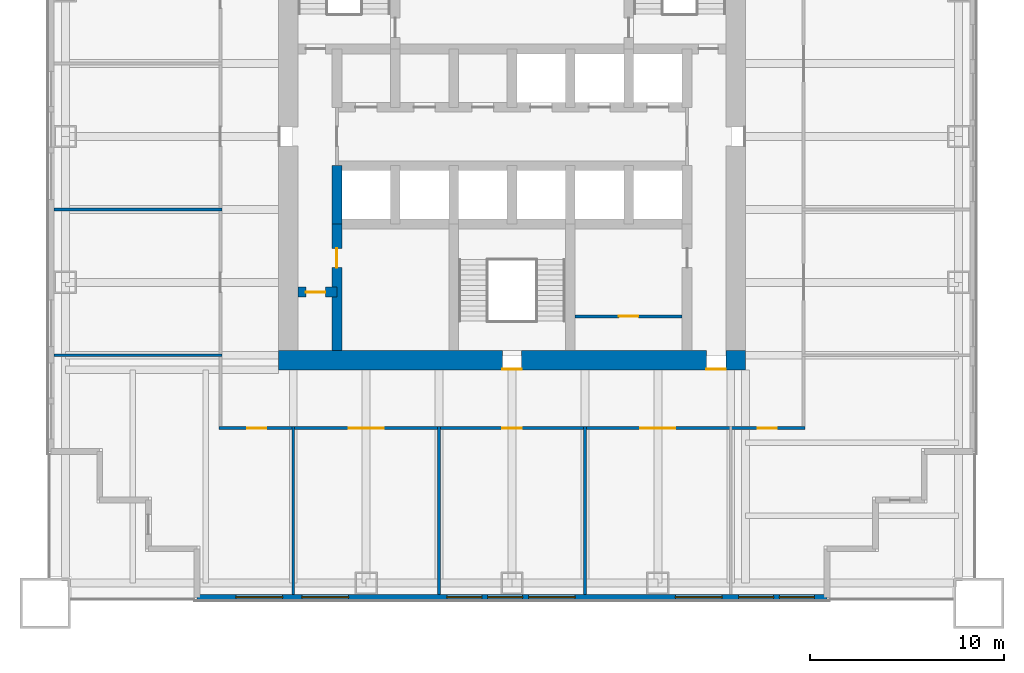
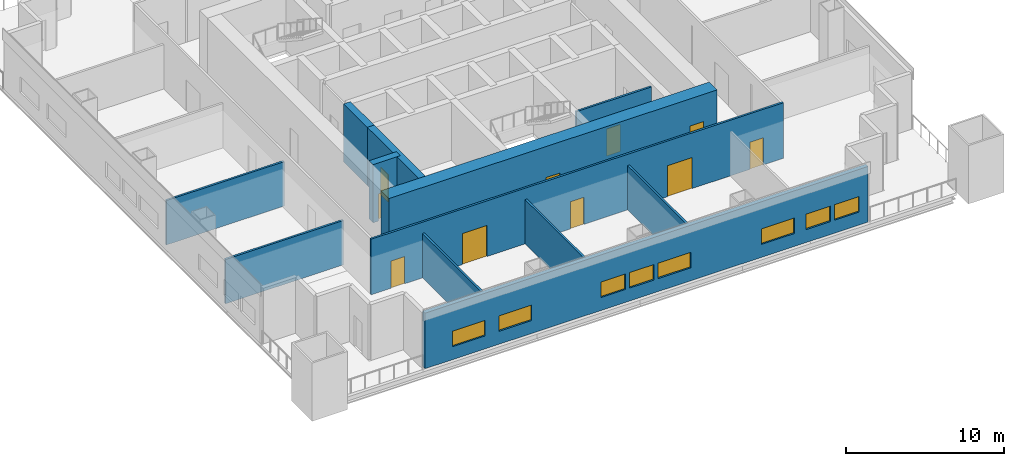
# One storey, part 2 of 7: 12 walls, 10 doors, 8 windows, 18 openings.
"""IFC4 building model written with IfcOpenShell, lengths in metres."""

from ifc_helpers import new_model, si_unit, direction, frame, frame_2d, origin, place, context, subcontext, project, spatial, rectangle, extrude, material, layer, layer_set, type_object, element, fill, save


model = new_model("IFC4")

# Units and contexts
model_context = context("Model", 3, precision=1e-05, world=origin(), true_north=direction((0.0, 1.0)))
body_context = subcontext(model_context, "Body", "Model", "MODEL_VIEW")
ifc_project = project(units=[si_unit("LENGTHUNIT", "METRE"), si_unit("AREAUNIT", "SQUARE_METRE"), si_unit("VOLUMEUNIT", "CUBIC_METRE"), si_unit("PLANEANGLEUNIT", "RADIAN"), si_unit("MASSUNIT", "GRAM", prefix="KILO")], contexts=[model_context])

# Site, building, storey
site_placement = place(None, origin())
site = spatial("IfcSite", under=ifc_project, at=site_placement, CompositionType="ELEMENT")
building_placement = place(site_placement, origin())
building = spatial("IfcBuilding", under=site, at=building_placement, Name="Tarangal Relay Tower", CompositionType="ELEMENT")
storey_placement = place(building_placement, frame((0.0, 0.0, 158.39990234375)))
storey = spatial("IfcBuildingStorey", under=building, at=storey_placement, Name="L32", CompositionType="ELEMENT", Elevation=158.39990234375)

# Wall, opening, door
ifc_material_1 = material(Name="Concrete fc' 60 MPa", Category="concrete")
ifc_layer_1 = layer(ifc_material_1, 0.5)
ifc_layer_set_1 = layer_set([ifc_layer_1], Name="Core inner wall 500")
wall_type_1 = type_object("IfcWallType", Name="Core inner wall 500", PredefinedType="SHEAR", material=ifc_layer_set_1)
wall_1_placement = place(storey_placement, frame((-11.0, -8.0, 0.0), z_axis=(0.0, 0.0, 1.0), x_axis=(1.0, 0.0, 0.0)))
wall_1 = element("IfcWall", 1, at=wall_1_placement, inside=storey, type_object=wall_type_1, Name="Core wall YM8 L32", PredefinedType="SHEAR", context=body_context, shape_type="SweptSolid", body=[
    extrude(rectangle(XDim=2.0, YDim=0.5, at=frame_2d((1.0, 0.0))), origin(), (0.0, 0.0, 1.0), 4.5),
])
opening_1_placement = place(wall_1_placement, frame((0.39990234375, 0.0, 0.0)))
opening_1 = element("IfcOpeningElement", 2, at=opening_1_placement, cuts=wall_1, Name="Opening D1", PredefinedType="OPENING", context=body_context, shape_type="SweptSolid", body=[
    extrude(rectangle(XDim=1.0, YDim=2.10009765625, at=frame_2d((0.5, 1.050048828125))), frame((0.0, 0.260009765625, 0.0), z_axis=(0.0, -1.0, 0.0), x_axis=(1.0, 0.0, 0.0)), (0.0, 0.0, 1.0), 0.52001953125),
])
ifc_material_2 = material(Name="Hardwood door", Category="wood")
door_type_1 = type_object("IfcDoorType", Name="WC door 1000 x 2100", OperationType="SINGLE_SWING_LEFT", PredefinedType="DOOR", material=ifc_material_2)
door_1_placement = place(opening_1_placement, origin())
door_1 = element("IfcDoor", 3, at=door_1_placement, inside=storey, type_object=door_type_1, Name="Accessible WC door L32", OperationType="SINGLE_SWING_LEFT", OverallHeight=2.10009765625, OverallWidth=1.0, PredefinedType="DOOR", context=body_context, shape_type="SweptSolid", body=[
    extrude(rectangle(XDim=1.0, YDim=2.10009765625, at=frame_2d((0.5, 1.050048828125))), frame((0.0, 0.02490234375, 0.0), z_axis=(0.0, -1.0, 0.0), x_axis=(1.0, 0.0, 0.0)), (0.0, 0.0, 1.0), 0.050048828125),
])
fill(opening_1, door_1)

# Wall
wall_2_placement = place(storey_placement, frame((-9.0, -4.5, 0.0), z_axis=(0.0, 0.0, 1.0), x_axis=(0.0, 1.0, 0.0)))
element("IfcWall", 4, at=wall_2_placement, inside=storey, type_object=wall_type_1, Name="Core wall XM9S L32", PredefinedType="SHEAR", context=body_context, shape_type="SweptSolid", body=[
    extrude(rectangle(XDim=3.0, YDim=0.5, at=frame_2d((1.5, 0.0))), origin(), (0.0, 0.0, 1.0), 4.5),
])

# Wall, opening, door
wall_3_placement = place(storey_placement, frame((-9.0, -11.0, 0.0), z_axis=(0.0, 0.0, 1.0), x_axis=(0.0, 1.0, 0.0)))
wall_3 = element("IfcWall", 5, at=wall_3_placement, inside=storey, type_object=wall_type_1, Name="Core wall XM9W L32", PredefinedType="SHEAR", context=body_context, shape_type="SweptSolid", body=[
    extrude(rectangle(XDim=6.5, YDim=0.5, at=frame_2d((3.25, 0.0))), origin(), (0.0, 0.0, 1.0), 4.5),
])
opening_2_placement = place(wall_3_placement, frame((4.25, 0.0, 0.0)))
opening_2 = element("IfcOpeningElement", 6, at=opening_2_placement, cuts=wall_3, Name="Opening D1", PredefinedType="OPENING", context=body_context, shape_type="SweptSolid", body=[
    extrude(rectangle(XDim=1.0, YDim=2.10009765625, at=frame_2d((0.5, 1.050048828125))), frame((0.0, 0.260009765625, 0.0), z_axis=(0.0, -1.0, 0.0), x_axis=(1.0, 0.0, 0.0)), (0.0, 0.0, 1.0), 0.52001953125),
])
door_2_placement = place(opening_2_placement, origin())
door_2 = element("IfcDoor", 7, at=door_2_placement, inside=storey, type_object=door_type_1, Name="Male WC door L32", OperationType="SINGLE_SWING_LEFT", OverallHeight=2.10009765625, OverallWidth=1.0, PredefinedType="DOOR", context=body_context, shape_type="SweptSolid", body=[
    extrude(rectangle(XDim=1.0, YDim=2.10009765625, at=frame_2d((0.5, 1.050048828125))), frame((0.0, 0.02490234375, 0.0), z_axis=(0.0, -1.0, 0.0), x_axis=(1.0, 0.0, 0.0)), (0.0, 0.0, 1.0), 0.050048828125),
])
fill(opening_2, door_2)

# Wall, openings, doors
ifc_layer_2 = layer(ifc_material_1, 1.0)
ifc_layer_set_2 = layer_set([ifc_layer_2], Name="Core wall 1000")
wall_type_2 = type_object("IfcWallType", Name="Core wall 1000", PredefinedType="SHEAR", material=ifc_layer_set_2)
wall_4_placement = place(storey_placement, frame((12.0, -11.5, 0.0), z_axis=(0.0, 0.0, 1.0), x_axis=(-1.0, 0.0, 0.0)))
wall_4 = element("IfcWall", 8, at=wall_4_placement, inside=storey, type_object=wall_type_2, Name="Core wall S L32", PredefinedType="SHEAR", context=body_context, shape_type="SweptSolid", body=[
    extrude(rectangle(XDim=24.0, YDim=1.0, at=frame_2d((12.0, 0.0))), origin(), (0.0, 0.0, 1.0), 4.5),
])
opening_3_placement = place(wall_4_placement, frame((11.5, 0.0, 0.0)))
opening_3 = element("IfcOpeningElement", 9, at=opening_3_placement, cuts=wall_4, Name="Opening FD1", PredefinedType="OPENING", context=body_context, shape_type="SweptSolid", body=[
    extrude(rectangle(XDim=1.0, YDim=2.10009765625, at=frame_2d((0.5, 1.050048828125))), frame((0.0, 0.510009765625, 0.0), z_axis=(0.0, -1.0, 0.0), x_axis=(1.0, 0.0, 0.0)), (0.0, 0.0, 1.0), 1.02001953125),
])
opening_4_placement = place(wall_4_placement, frame((1.0, 0.0, 0.0)))
opening_4 = element("IfcOpeningElement", 10, at=opening_4_placement, cuts=wall_4, Name="Opening FD3", PredefinedType="OPENING", context=body_context, shape_type="SweptSolid", body=[
    extrude(rectangle(XDim=1.0, YDim=2.39990234375, at=frame_2d((0.5, 1.199951171875))), frame((0.0, 0.510009765625, 0.0), z_axis=(0.0, -1.0, 0.0), x_axis=(1.0, 0.0, 0.0)), (0.0, 0.0, 1.0), 1.02001953125),
])
ifc_material_3 = material(Name="Steel door with hardwood frame", Category="steel")
door_type_2 = type_object("IfcDoorType", Name="Fire door 1000 x 2100", OperationType="SINGLE_SWING_LEFT", PredefinedType="DOOR", material=ifc_material_3)
door_3_placement = place(opening_3_placement, origin())
door_3 = element("IfcDoor", 11, at=door_3_placement, inside=storey, type_object=door_type_2, Name="Stair ST-C door L32", OperationType="SINGLE_SWING_LEFT", OverallHeight=2.10009765625, OverallWidth=1.0, PredefinedType="DOOR", context=body_context, shape_type="SweptSolid", body=[
    extrude(rectangle(XDim=1.0, YDim=2.10009765625, at=frame_2d((0.5, 1.050048828125))), frame((0.0, 0.48486328125, 0.0), z_axis=(0.0, -1.0, 0.0), x_axis=(1.0, 0.0, 0.0)), (0.0, 0.0, 1.0), 0.050048828125),
])
fill(opening_3, door_3)
door_type_3 = type_object("IfcDoorType", Name="Fire door 1000 x 2400 core entry", OperationType="SINGLE_SWING_RIGHT", PredefinedType="DOOR", material=ifc_material_3)
door_4_placement = place(opening_4_placement, origin())
door_4 = element("IfcDoor", 12, at=door_4_placement, inside=storey, type_object=door_type_3, Name="Core entry door south east L32", OperationType="SINGLE_SWING_RIGHT", OverallHeight=2.39990234375, OverallWidth=1.0, PredefinedType="DOOR", context=body_context, shape_type="SweptSolid", body=[
    extrude(rectangle(XDim=1.0, YDim=2.39990234375, at=frame_2d((0.5, 1.199951171875))), frame((0.0, 0.48486328125, 0.0), z_axis=(0.0, -1.0, 0.0), x_axis=(1.0, 0.0, 0.0)), (0.0, 0.0, 1.0), 0.050048828125),
])
fill(opening_4, door_4)

# Wall, openings, windows
ifc_material_4 = material(Name="Insulated precast concrete fc' 40 MPa", Category="concrete")
ifc_layer_3 = layer(ifc_material_4, 0.300048828125)
ifc_layer_set_3 = layer_set([ifc_layer_3], Name="Insulated precast concrete fc' 40 MPa")
wall_type_3 = type_object("IfcWallType", Name="Facade wall precast 300", PredefinedType="SOLIDWALL", material=ifc_layer_set_3)
wall_5_placement = place(storey_placement, frame((16.199951171875, -23.699951171875, 0.0), z_axis=(0.0, 0.0, 1.0), x_axis=(-1.0, 0.0, 0.0)))
wall_5 = element("IfcWall", 13, at=wall_5_placement, inside=storey, type_object=wall_type_3, Name="Facade wall S facade L32", PredefinedType="SOLIDWALL", context=body_context, shape_type="SweptSolid", body=[
    extrude(rectangle(XDim=32.39990234375, YDim=0.300048828125, at=frame_2d((16.199951171875, 0.0))), origin(), (0.0, 0.0, 1.0), 4.300048828125),
])
opening_5_placement = place(wall_5_placement, frame((0.64990234375, 0.0, 1.0)))
opening_5 = element("IfcOpeningElement", 14, at=opening_5_placement, cuts=wall_5, Name="Opening WN5", PredefinedType="OPENING", context=body_context, shape_type="SweptSolid", body=[
    extrude(rectangle(XDim=1.800048828125, YDim=1.199951171875, at=frame_2d((0.89990234375, 0.60009765625))), frame((0.0, 0.159912109375, 0.0), z_axis=(0.0, -1.0, 0.0), x_axis=(1.0, 0.0, 0.0)), (0.0, 0.0, 1.0), 0.320068359375),
])
opening_6_placement = place(wall_5_placement, frame((2.75, 0.0, 1.0)))
opening_6 = element("IfcOpeningElement", 15, at=opening_6_placement, cuts=wall_5, Name="Opening WN5", PredefinedType="OPENING", context=body_context, shape_type="SweptSolid", body=[
    extrude(rectangle(XDim=1.800048828125, YDim=1.199951171875, at=frame_2d((0.89990234375, 0.60009765625))), frame((0.0, 0.159912109375, 0.0), z_axis=(0.0, -1.0, 0.0), x_axis=(1.0, 0.0, 0.0)), (0.0, 0.0, 1.0), 0.320068359375),
])
opening_7_placement = place(wall_5_placement, frame((5.39990234375, 0.0, 1.0)))
opening_7 = element("IfcOpeningElement", 16, at=opening_7_placement, cuts=wall_5, Name="Opening WN1", PredefinedType="OPENING", context=body_context, shape_type="SweptSolid", body=[
    extrude(rectangle(XDim=2.39990234375, YDim=1.199951171875, at=frame_2d((1.199951171875, 0.60009765625))), frame((0.0, 0.159912109375, 0.0), z_axis=(0.0, -1.0, 0.0), x_axis=(1.0, 0.0, 0.0)), (0.0, 0.0, 1.0), 0.320068359375),
])
opening_8_placement = place(wall_5_placement, frame((12.949951171875, 0.0, 1.0)))
opening_8 = element("IfcOpeningElement", 17, at=opening_8_placement, cuts=wall_5, Name="Opening WN1", PredefinedType="OPENING", context=body_context, shape_type="SweptSolid", body=[
    extrude(rectangle(XDim=2.39990234375, YDim=1.199951171875, at=frame_2d((1.199951171875, 0.60009765625))), frame((0.0, 0.159912109375, 0.0), z_axis=(0.0, -1.0, 0.0), x_axis=(1.0, 0.0, 0.0)), (0.0, 0.0, 1.0), 0.320068359375),
])
opening_9_placement = place(wall_5_placement, frame((15.64990234375, 0.0, 1.0)))
opening_9 = element("IfcOpeningElement", 18, at=opening_9_placement, cuts=wall_5, Name="Opening WN5", PredefinedType="OPENING", context=body_context, shape_type="SweptSolid", body=[
    extrude(rectangle(XDim=1.800048828125, YDim=1.199951171875, at=frame_2d((0.89990234375, 0.60009765625))), frame((0.0, 0.159912109375, 0.0), z_axis=(0.0, -1.0, 0.0), x_axis=(1.0, 0.0, 0.0)), (0.0, 0.0, 1.0), 0.320068359375),
])
opening_10_placement = place(wall_5_placement, frame((17.75, 0.0, 1.0)))
opening_10 = element("IfcOpeningElement", 19, at=opening_10_placement, cuts=wall_5, Name="Opening WN5", PredefinedType="OPENING", context=body_context, shape_type="SweptSolid", body=[
    extrude(rectangle(XDim=1.800048828125, YDim=1.199951171875, at=frame_2d((0.89990234375, 0.60009765625))), frame((0.0, 0.159912109375, 0.0), z_axis=(0.0, -1.0, 0.0), x_axis=(1.0, 0.0, 0.0)), (0.0, 0.0, 1.0), 0.320068359375),
])
opening_11_placement = place(wall_5_placement, frame((24.60009765625, 0.0, 1.0)))
opening_11 = element("IfcOpeningElement", 20, at=opening_11_placement, cuts=wall_5, Name="Opening WN1", PredefinedType="OPENING", context=body_context, shape_type="SweptSolid", body=[
    extrude(rectangle(XDim=2.39990234375, YDim=1.199951171875, at=frame_2d((1.199951171875, 0.60009765625))), frame((0.0, 0.159912109375, 0.0), z_axis=(0.0, -1.0, 0.0), x_axis=(1.0, 0.0, 0.0)), (0.0, 0.0, 1.0), 0.320068359375),
])
opening_12_placement = place(wall_5_placement, frame((28.0, 0.0, 1.0)))
opening_12 = element("IfcOpeningElement", 21, at=opening_12_placement, cuts=wall_5, Name="Opening WN1", PredefinedType="OPENING", context=body_context, shape_type="SweptSolid", body=[
    extrude(rectangle(XDim=2.39990234375, YDim=1.199951171875, at=frame_2d((1.199951171875, 0.60009765625))), frame((0.0, 0.159912109375, 0.0), z_axis=(0.0, -1.0, 0.0), x_axis=(1.0, 0.0, 0.0)), (0.0, 0.0, 1.0), 0.320068359375),
])
ifc_material_5 = material(Name="Dark tinted double glazing in black aluminium frame", Category="aluminium")
window_type_1 = type_object("IfcWindowType", Name="Ribbon window 1800 x 1200", PartitioningType="SINGLE_PANEL", PredefinedType="WINDOW", material=ifc_material_5)
window_1_placement = place(opening_5_placement, origin())
window_1 = element("IfcWindow", 22, at=window_1_placement, inside=storey, type_object=window_type_1, Name="Ribbon window WN5 S facade L32", OverallHeight=1.199951171875, OverallWidth=1.800048828125, PartitioningType="SINGLE_PANEL", PredefinedType="WINDOW", context=body_context, shape_type="SweptSolid", body=[
    extrude(rectangle(XDim=1.800048828125, YDim=1.199951171875, at=frame_2d((0.89990234375, 0.60009765625))), frame((0.0, 0.030029296875, 0.0), z_axis=(0.0, -1.0, 0.0), x_axis=(1.0, 0.0, 0.0)), (0.0, 0.0, 1.0), 0.06005859375),
])
fill(opening_5, window_1)
window_2_placement = place(opening_6_placement, origin())
window_2 = element("IfcWindow", 23, at=window_2_placement, inside=storey, type_object=window_type_1, Name="Ribbon window WN5 S facade L32", OverallHeight=1.199951171875, OverallWidth=1.800048828125, PartitioningType="SINGLE_PANEL", PredefinedType="WINDOW", context=body_context, shape_type="SweptSolid", body=[
    extrude(rectangle(XDim=1.800048828125, YDim=1.199951171875, at=frame_2d((0.89990234375, 0.60009765625))), frame((0.0, 0.030029296875, 0.0), z_axis=(0.0, -1.0, 0.0), x_axis=(1.0, 0.0, 0.0)), (0.0, 0.0, 1.0), 0.06005859375),
])
fill(opening_6, window_2)
window_3_placement = place(opening_9_placement, origin())
window_3 = element("IfcWindow", 24, at=window_3_placement, inside=storey, type_object=window_type_1, Name="Ribbon window WN5 S facade L32", OverallHeight=1.199951171875, OverallWidth=1.800048828125, PartitioningType="SINGLE_PANEL", PredefinedType="WINDOW", context=body_context, shape_type="SweptSolid", body=[
    extrude(rectangle(XDim=1.800048828125, YDim=1.199951171875, at=frame_2d((0.89990234375, 0.60009765625))), frame((0.0, 0.030029296875, 0.0), z_axis=(0.0, -1.0, 0.0), x_axis=(1.0, 0.0, 0.0)), (0.0, 0.0, 1.0), 0.06005859375),
])
fill(opening_9, window_3)
window_4_placement = place(opening_10_placement, origin())
window_4 = element("IfcWindow", 25, at=window_4_placement, inside=storey, type_object=window_type_1, Name="Ribbon window WN5 S facade L32", OverallHeight=1.199951171875, OverallWidth=1.800048828125, PartitioningType="SINGLE_PANEL", PredefinedType="WINDOW", context=body_context, shape_type="SweptSolid", body=[
    extrude(rectangle(XDim=1.800048828125, YDim=1.199951171875, at=frame_2d((0.89990234375, 0.60009765625))), frame((0.0, 0.030029296875, 0.0), z_axis=(0.0, -1.0, 0.0), x_axis=(1.0, 0.0, 0.0)), (0.0, 0.0, 1.0), 0.06005859375),
])
fill(opening_10, window_4)
window_type_2 = type_object("IfcWindowType", Name="Ribbon window 2400 x 1200", PartitioningType="SINGLE_PANEL", PredefinedType="WINDOW", material=ifc_material_5)
window_5_placement = place(opening_7_placement, origin())
window_5 = element("IfcWindow", 26, at=window_5_placement, inside=storey, type_object=window_type_2, Name="Ribbon window WN1 S facade L32", OverallHeight=1.199951171875, OverallWidth=2.39990234375, PartitioningType="SINGLE_PANEL", PredefinedType="WINDOW", context=body_context, shape_type="SweptSolid", body=[
    extrude(rectangle(XDim=2.39990234375, YDim=1.199951171875, at=frame_2d((1.199951171875, 0.60009765625))), frame((0.0, 0.030029296875, 0.0), z_axis=(0.0, -1.0, 0.0), x_axis=(1.0, 0.0, 0.0)), (0.0, 0.0, 1.0), 0.06005859375),
])
fill(opening_7, window_5)
window_6_placement = place(opening_8_placement, origin())
window_6 = element("IfcWindow", 27, at=window_6_placement, inside=storey, type_object=window_type_2, Name="Ribbon window WN1 S facade L32", OverallHeight=1.199951171875, OverallWidth=2.39990234375, PartitioningType="SINGLE_PANEL", PredefinedType="WINDOW", context=body_context, shape_type="SweptSolid", body=[
    extrude(rectangle(XDim=2.39990234375, YDim=1.199951171875, at=frame_2d((1.199951171875, 0.60009765625))), frame((0.0, 0.030029296875, 0.0), z_axis=(0.0, -1.0, 0.0), x_axis=(1.0, 0.0, 0.0)), (0.0, 0.0, 1.0), 0.06005859375),
])
fill(opening_8, window_6)
window_7_placement = place(opening_11_placement, origin())
window_7 = element("IfcWindow", 28, at=window_7_placement, inside=storey, type_object=window_type_2, Name="Ribbon window WN1 S facade L32", OverallHeight=1.199951171875, OverallWidth=2.39990234375, PartitioningType="SINGLE_PANEL", PredefinedType="WINDOW", context=body_context, shape_type="SweptSolid", body=[
    extrude(rectangle(XDim=2.39990234375, YDim=1.199951171875, at=frame_2d((1.199951171875, 0.60009765625))), frame((0.0, 0.030029296875, 0.0), z_axis=(0.0, -1.0, 0.0), x_axis=(1.0, 0.0, 0.0)), (0.0, 0.0, 1.0), 0.06005859375),
])
fill(opening_11, window_7)
window_8_placement = place(opening_12_placement, origin())
window_8 = element("IfcWindow", 29, at=window_8_placement, inside=storey, type_object=window_type_2, Name="Ribbon window WN1 S facade L32", OverallHeight=1.199951171875, OverallWidth=2.39990234375, PartitioningType="SINGLE_PANEL", PredefinedType="WINDOW", context=body_context, shape_type="SweptSolid", body=[
    extrude(rectangle(XDim=2.39990234375, YDim=1.199951171875, at=frame_2d((1.199951171875, 0.60009765625))), frame((0.0, 0.030029296875, 0.0), z_axis=(0.0, -1.0, 0.0), x_axis=(1.0, 0.0, 0.0)), (0.0, 0.0, 1.0), 0.06005859375),
])
fill(opening_12, window_8)

# Wall, openings, doors
ifc_material_6 = material(Name="Gypsum board on steel studs", Category="steel")
ifc_layer_4 = layer(ifc_material_6, 0.14990234375)
ifc_layer_set_4 = layer_set([ifc_layer_4], Name="Partition 150")
wall_type_4 = type_object("IfcWallType", Name="Partition 150", PredefinedType="PARTITIONING", material=ifc_layer_set_4)
wall_6_placement = place(storey_placement, frame((-15.074951171875, -15.0, 0.0), z_axis=(0.0, 0.0, 1.0), x_axis=(1.0, 0.0, 0.0)))
wall_6 = element("IfcWall", 30, at=wall_6_placement, inside=storey, type_object=wall_type_4, Name="Partition PT1 L32", PredefinedType="PARTITIONING", context=body_context, shape_type="SweptSolid", body=[
    extrude(rectangle(XDim=30.14990234375, YDim=0.14990234375, at=frame_2d((15.074951171875, 0.0))), origin(), (0.0, 0.0, 1.0), 4.300048828125),
])
opening_13_placement = place(wall_6_placement, frame((21.675048828125, 0.0, 0.0)))
opening_13 = element("IfcOpeningElement", 31, at=opening_13_placement, cuts=wall_6, Name="Opening DD1", PredefinedType="OPENING", context=body_context, shape_type="SweptSolid", body=[
    extrude(rectangle(XDim=1.800048828125, YDim=2.39990234375, at=frame_2d((0.89990234375, 1.199951171875))), frame((0.0, 0.0849609375, 0.0), z_axis=(0.0, -1.0, 0.0), x_axis=(1.0, 0.0, 0.0)), (0.0, 0.0, 1.0), 0.169921875),
])
opening_14_placement = place(wall_6_placement, frame((14.574951171875, 0.0, 0.0)))
opening_14 = element("IfcOpeningElement", 32, at=opening_14_placement, cuts=wall_6, Name="Opening D2", PredefinedType="OPENING", context=body_context, shape_type="SweptSolid", body=[
    extrude(rectangle(XDim=1.0, YDim=2.10009765625, at=frame_2d((0.5, 1.050048828125))), frame((0.0, 0.0849609375, 0.0), z_axis=(0.0, -1.0, 0.0), x_axis=(1.0, 0.0, 0.0)), (0.0, 0.0, 1.0), 0.169921875),
])
opening_15_placement = place(wall_6_placement, frame((6.675048828125, 0.0, 0.0)))
opening_15 = element("IfcOpeningElement", 33, at=opening_15_placement, cuts=wall_6, Name="Opening DD1", PredefinedType="OPENING", context=body_context, shape_type="SweptSolid", body=[
    extrude(rectangle(XDim=1.800048828125, YDim=2.39990234375, at=frame_2d((0.89990234375, 1.199951171875))), frame((0.0, 0.0849609375, 0.0), z_axis=(0.0, -1.0, 0.0), x_axis=(1.0, 0.0, 0.0)), (0.0, 0.0, 1.0), 0.169921875),
])
opening_16_placement = place(wall_6_placement, frame((27.699951171875, 0.0, 0.0)))
opening_16 = element("IfcOpeningElement", 34, at=opening_16_placement, cuts=wall_6, Name="Opening D2", PredefinedType="OPENING", context=body_context, shape_type="SweptSolid", body=[
    extrude(rectangle(XDim=1.0, YDim=2.10009765625, at=frame_2d((0.5, 1.050048828125))), frame((0.0, 0.0849609375, 0.0), z_axis=(0.0, -1.0, 0.0), x_axis=(1.0, 0.0, 0.0)), (0.0, 0.0, 1.0), 0.169921875),
])
opening_17_placement = place(wall_6_placement, frame((1.449951171875, 0.0, 0.0)))
opening_17 = element("IfcOpeningElement", 35, at=opening_17_placement, cuts=wall_6, Name="Opening D2", PredefinedType="OPENING", context=body_context, shape_type="SweptSolid", body=[
    extrude(rectangle(XDim=1.0, YDim=2.10009765625, at=frame_2d((0.5, 1.050048828125))), frame((0.0, 0.0849609375, 0.0), z_axis=(0.0, -1.0, 0.0), x_axis=(1.0, 0.0, 0.0)), (0.0, 0.0, 1.0), 0.169921875),
])
door_type_4 = type_object("IfcDoorType", Name="Door 1000 x 2100", OperationType="SINGLE_SWING_LEFT", PredefinedType="DOOR", material=ifc_material_2)
door_5_placement = place(opening_14_placement, origin())
door_5 = element("IfcDoor", 36, at=door_5_placement, inside=storey, type_object=door_type_4, Name="Door D2 to radio engineers office L32-07", OperationType="SINGLE_SWING_LEFT", OverallHeight=2.10009765625, OverallWidth=1.0, PredefinedType="DOOR", context=body_context, shape_type="SweptSolid", body=[
    extrude(rectangle(XDim=1.0, YDim=2.10009765625, at=frame_2d((0.5, 1.050048828125))), frame((0.0, 0.02490234375, 0.0), z_axis=(0.0, -1.0, 0.0), x_axis=(1.0, 0.0, 0.0)), (0.0, 0.0, 1.0), 0.050048828125),
])
fill(opening_14, door_5)
door_6_placement = place(opening_16_placement, origin())
door_6 = element("IfcDoor", 37, at=door_6_placement, inside=storey, type_object=door_type_4, Name="Door D2 to engineering office L32-13", OperationType="SINGLE_SWING_LEFT", OverallHeight=2.10009765625, OverallWidth=1.0, PredefinedType="DOOR", context=body_context, shape_type="SweptSolid", body=[
    extrude(rectangle(XDim=1.0, YDim=2.10009765625, at=frame_2d((0.5, 1.050048828125))), frame((0.0, 0.02490234375, 0.0), z_axis=(0.0, -1.0, 0.0), x_axis=(1.0, 0.0, 0.0)), (0.0, 0.0, 1.0), 0.050048828125),
])
fill(opening_16, door_6)
door_7_placement = place(opening_17_placement, origin())
door_7 = element("IfcDoor", 38, at=door_7_placement, inside=storey, type_object=door_type_4, Name="Door D2 to maintenance workshop L32-14", OperationType="SINGLE_SWING_LEFT", OverallHeight=2.10009765625, OverallWidth=1.0, PredefinedType="DOOR", context=body_context, shape_type="SweptSolid", body=[
    extrude(rectangle(XDim=1.0, YDim=2.10009765625, at=frame_2d((0.5, 1.050048828125))), frame((0.0, 0.02490234375, 0.0), z_axis=(0.0, -1.0, 0.0), x_axis=(1.0, 0.0, 0.0)), (0.0, 0.0, 1.0), 0.050048828125),
])
fill(opening_17, door_7)
door_type_5 = type_object("IfcDoorType", Name="Equipment double door 1800 x 2400", OperationType="DOUBLE_DOOR_SINGLE_SWING", PredefinedType="DOOR", material=ifc_material_3)
door_8_placement = place(opening_13_placement, origin())
door_8 = element("IfcDoor", 39, at=door_8_placement, inside=storey, type_object=door_type_5, Name="Door DD1 to rectifier, battery and electrical room L32-06", OperationType="DOUBLE_DOOR_SINGLE_SWING", OverallHeight=2.39990234375, OverallWidth=1.800048828125, PredefinedType="DOOR", context=body_context, shape_type="SweptSolid", body=[
    extrude(rectangle(XDim=1.800048828125, YDim=2.39990234375, at=frame_2d((0.89990234375, 1.199951171875))), frame((0.0, 0.02490234375, 0.0), z_axis=(0.0, -1.0, 0.0), x_axis=(1.0, 0.0, 0.0)), (0.0, 0.0, 1.0), 0.050048828125),
])
fill(opening_13, door_8)
door_9_placement = place(opening_15_placement, origin())
door_9 = element("IfcDoor", 40, at=door_9_placement, inside=storey, type_object=door_type_5, Name="Door DD1 to antenna cable entry room L32-08", OperationType="DOUBLE_DOOR_SINGLE_SWING", OverallHeight=2.39990234375, OverallWidth=1.800048828125, PredefinedType="DOOR", context=body_context, shape_type="SweptSolid", body=[
    extrude(rectangle(XDim=1.800048828125, YDim=2.39990234375, at=frame_2d((0.89990234375, 1.199951171875))), frame((0.0, 0.02490234375, 0.0), z_axis=(0.0, -1.0, 0.0), x_axis=(1.0, 0.0, 0.0)), (0.0, 0.0, 1.0), 0.050048828125),
])
fill(opening_15, door_9)

# Walls
for number, where, z_axis, x_axis, name in (
    (41, (-23.550048828125, -11.25, 0.0), (0.0, 0.0, 1.0), (1.0, 0.0, 0.0), "Partition PT1 L32"),
    (42, (-23.550048828125, -3.75, 0.0), (0.0, 0.0, 1.0), (1.0, 0.0, 0.0), "Partition PT1 L32"),
    (43, (-11.25, -23.550048828125, 0.0), (0.0, 0.0, 1.0), (0.0, 1.0, 0.0), "Partition PT1 L32"),
    (44, (-3.75, -23.550048828125, 0.0), (0.0, 0.0, 1.0), (0.0, 1.0, 0.0), "Partition PT1 L32"),
    (45, (3.75, -23.550048828125, 0.0), (0.0, 0.0, 1.0), (0.0, 1.0, 0.0), "Partition PT1 L32"),
):
    element("IfcWall", number, at=place(storey_placement, frame(where, z_axis=z_axis, x_axis=x_axis)), inside=storey, type_object=wall_type_4, Name=name, PredefinedType="PARTITIONING", context=body_context, shape_type="SweptSolid", body=[
        extrude(rectangle(XDim=8.625, YDim=0.14990234375, at=frame_2d((4.3125, 0.0))), origin(), (0.0, 0.0, 1.0), 3.431396484375),
    ])

# Wall, opening, door
wall_7_placement = place(storey_placement, frame((3.25, -9.25, 0.0), z_axis=(0.0, 0.0, 1.0), x_axis=(1.0, 0.0, 0.0)))
wall_7 = element("IfcWall", 46, at=wall_7_placement, inside=storey, type_object=wall_type_4, Name="Partition PT1 L32", PredefinedType="PARTITIONING", context=body_context, shape_type="SweptSolid", body=[
    extrude(rectangle(XDim=5.5, YDim=0.14990234375, at=frame_2d((2.75, 0.0))), origin(), (0.0, 0.0, 1.0), 4.25),
])
opening_18_placement = place(wall_7_placement, frame((2.25, 0.0, 0.0)))
opening_18 = element("IfcOpeningElement", 47, at=opening_18_placement, cuts=wall_7, Name="Opening D1", PredefinedType="OPENING", context=body_context, shape_type="SweptSolid", body=[
    extrude(rectangle(XDim=1.0, YDim=2.10009765625, at=frame_2d((0.5, 1.050048828125))), frame((0.0, 0.0849609375, 0.0), z_axis=(0.0, -1.0, 0.0), x_axis=(1.0, 0.0, 0.0)), (0.0, 0.0, 1.0), 0.169921875),
])
door_10_placement = place(opening_18_placement, origin())
door_10 = element("IfcDoor", 48, at=door_10_placement, inside=storey, type_object=door_type_1, Name="Door D1 to female shower and changing room L32-C10B", OperationType="SINGLE_SWING_LEFT", OverallHeight=2.10009765625, OverallWidth=1.0, PredefinedType="DOOR", context=body_context, shape_type="SweptSolid", body=[
    extrude(rectangle(XDim=1.0, YDim=2.10009765625, at=frame_2d((0.5, 1.050048828125))), frame((0.0, 0.02490234375, 0.0), z_axis=(0.0, -1.0, 0.0), x_axis=(1.0, 0.0, 0.0)), (0.0, 0.0, 1.0), 0.050048828125),
])
fill(opening_18, door_10)

save(model, "model.ifc")
